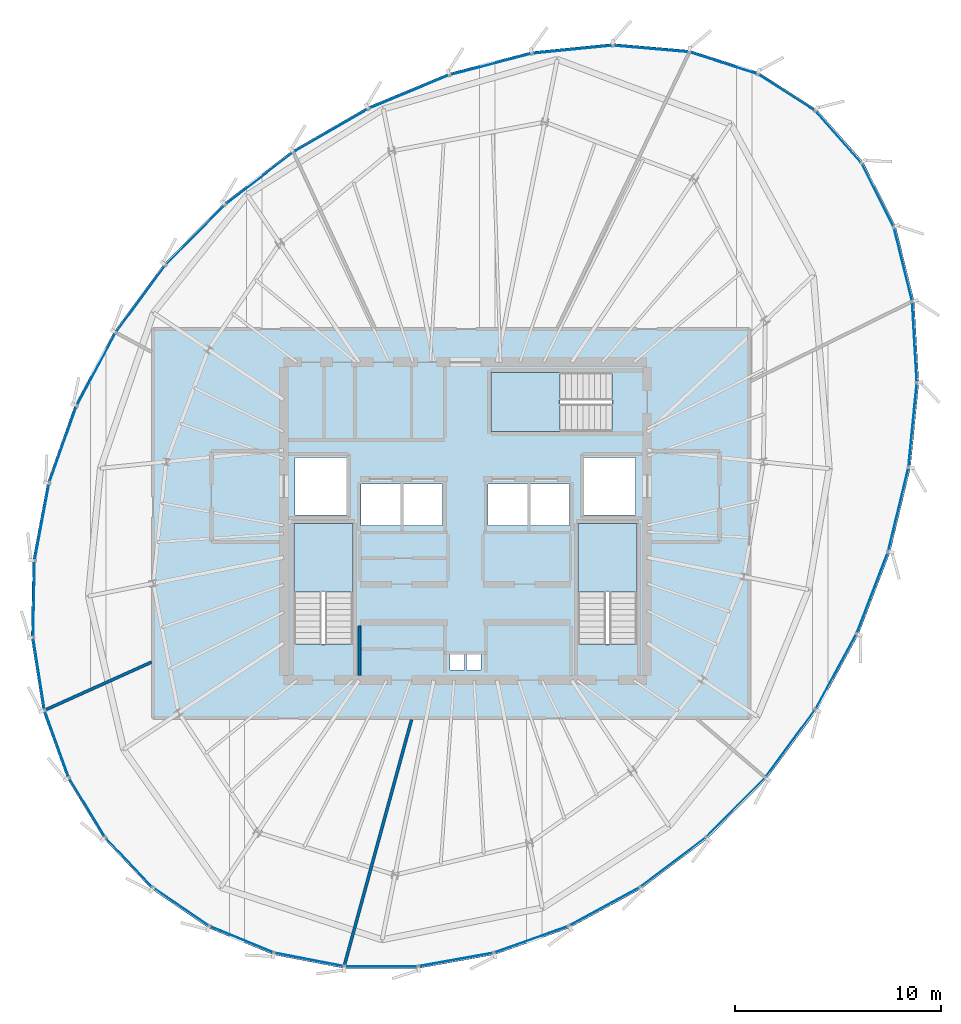
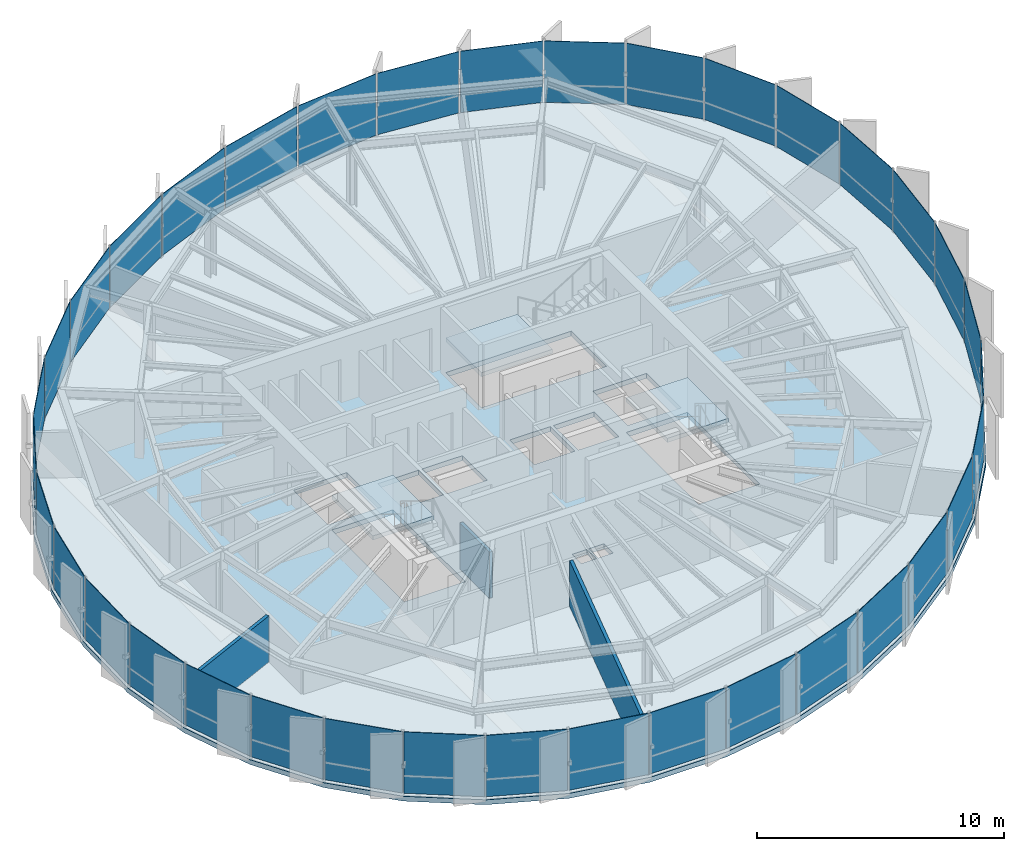
# One storey, part 26 of 33: 36 plates, 4 slabs, 3 walls, 9 elements without a shape of their own.
"""IFC4 building model written with IfcOpenShell, lengths in metres."""

from ifc_helpers import new_model, si_unit, direction, frame, frame_2d, origin, origin_2d, place, context, subcontext, project, spatial, polyline, rectangle, outline, extrude, source, transform, mapped, material, layer, layer_set, type_object, element, aggregate, save


model = new_model("IFC4")

# Units and contexts
model_context = context("Model", 3, precision=1e-05, world=origin(), true_north=direction((0.0, 1.0)))
body_context = subcontext(model_context, "Body", "Model", "MODEL_VIEW")
ifc_project = project(units=[si_unit("LENGTHUNIT", "METRE"), si_unit("AREAUNIT", "SQUARE_METRE"), si_unit("VOLUMEUNIT", "CUBIC_METRE"), si_unit("PLANEANGLEUNIT", "RADIAN"), si_unit("MASSUNIT", "GRAM", prefix="KILO"), si_unit("THERMODYNAMICTEMPERATUREUNIT", "KELVIN")], contexts=[model_context])

# Site, building, storey
site_placement = place(None, origin())
site = spatial("IfcSite", under=ifc_project, at=site_placement, CompositionType="ELEMENT")
building_placement = place(site_placement, origin())
building = spatial("IfcBuilding", under=site, at=building_placement, Name="Kethvar Cultural Tower", CompositionType="ELEMENT")
storey_placement = place(building_placement, frame((0.0, 0.0, 235.300048828125)))
storey = spatial("IfcBuildingStorey", under=building, at=storey_placement, Name="L61", CompositionType="ELEMENT", Elevation=235.300048828125)

# Stair, slab
ifc_material_1 = material(Name="Concrete C40/50", Category="concrete")
stair_type = type_object("IfcStairType", Name="ST-DOGLEG-135", PredefinedType="HALF_TURN_STAIR", material=ifc_material_1)
stair_1_placement = place(storey_placement, origin())
stair_1 = element("IfcStair", 1, at=stair_1_placement, inside=storey, type_object=stair_type, Name="L61 Core Exit Stair 1", PredefinedType="HALF_TURN_STAIR")
ifc_layer_1 = layer(ifc_material_1, 0.199951171875, Name="Concrete C40/50", Category="concrete")
ifc_layer_set_1 = layer_set([ifc_layer_1], Name="Concrete C40/50 (200 mm)")
slab_type_1 = type_object("IfcSlabType", Name="SL-STAIR-LANDING-200", PredefinedType="LANDING", material=ifc_layer_set_1)
slab_1_placement = place(storey_placement, frame((0.0, 0.0, 1.52490234375)))
slab_1 = element("IfcSlab", 2, at=slab_1_placement, type_object=slab_type_1, Name="ST-01 landing 1", PredefinedType="LANDING", context=body_context, shape_type="SweptSolid", body=[
    extrude(outline(polyline([(41.35009765625, 24.3701171875), (41.35009765625, 27.699951171875), (38.489990234375, 27.699951171875), (38.489990234375, 24.3701171875), (41.35009765625, 24.3701171875)])), origin(), (0.0, 0.0, 1.0), 0.199951171875),
])
aggregate(stair_1, [slab_1])

stair_2_placement = place(storey_placement, origin())
stair_2 = element("IfcStair", 3, at=stair_2_placement, inside=storey, type_object=stair_type, Name="L61 Core Exit Stair 2", PredefinedType="HALF_TURN_STAIR")
slab_2_placement = place(storey_placement, frame((0.0, 0.0, 1.52490234375)))
slab_2 = element("IfcSlab", 4, at=slab_2_placement, type_object=slab_type_1, Name="ST-02 landing 1", PredefinedType="LANDING", context=body_context, shape_type="SweptSolid", body=[
    extrude(outline(polyline([(55.110107421875, 24.3701171875), (55.110107421875, 27.699951171875), (52.25, 27.699951171875), (52.25, 24.3701171875), (55.110107421875, 24.3701171875)])), origin(), (0.0, 0.0, 1.0), 0.199951171875),
])
aggregate(stair_2, [slab_2])

stair_3_placement = place(storey_placement, origin())
stair_3 = element("IfcStair", 5, at=stair_3_placement, inside=storey, type_object=stair_type, Name="L61 Core Exit Stair 3", PredefinedType="HALF_TURN_STAIR")
slab_3_placement = place(storey_placement, frame((0.0, 0.0, 1.52490234375)))
slab_3 = element("IfcSlab", 6, at=slab_3_placement, type_object=slab_type_1, Name="ST-03 landing 1", PredefinedType="LANDING", context=body_context, shape_type="SweptSolid", body=[
    extrude(outline(polyline([(51.3798828125, 35.010009765625), (48.050048828125, 35.010009765625), (48.050048828125, 32.14990234375), (51.3798828125, 32.14990234375), (51.3798828125, 35.010009765625)])), origin(), (0.0, 0.0, 1.0), 0.199951171875),
])
aggregate(stair_3, [slab_3])

# Slab
ifc_layer_2 = layer(ifc_material_1, 0.239990234375, Name="Concrete C40/50", Category="concrete")
ifc_layer_set_2 = layer_set([ifc_layer_2], Name="Concrete C40/50 (240 mm)")
slab_type_2 = type_object("IfcSlabType", Name="SL-TOW-240", PredefinedType="FLOOR", material=ifc_layer_set_2)
slab_4_placement = place(storey_placement, frame((0.0, 0.0, -0.239990234375)))
element("IfcSlab", 7, at=slab_4_placement, inside=storey, type_object=slab_type_2, Name="L61 Structural Floor Slab", PredefinedType="FLOOR", context=body_context, shape_type="SweptSolid", body=[
    extrude(outline(polyline([(63.824951171875, 47.733642578125), (60.9912109375, 49.548095703125), (57.654052734375, 50.616943359375), (53.940673828125, 50.938232421875), (50.0009765625, 50.545654296875), (45.99609375, 49.49951171875), (42.08447265625, 47.87451171875), (38.409912109375, 45.74951171875), (35.08935546875, 43.195068359375), (32.2041015625, 40.26611328125), (29.785400390625, 36.98486328125), (27.883544921875, 33.424560546875), (26.556396484375, 29.693603515625), (25.844482421875, 25.90478515625), (25.76904296875, 22.173828125), (26.332763671875, 18.61376953125), (27.5185546875, 15.332763671875), (29.289794921875, 12.4306640625), (31.593505859375, 9.995361328125), (34.35888671875, 8.101318359375), (37.50244140625, 6.805419921875), (40.9287109375, 6.147705078125), (44.533203125, 6.14794921875), (48.206298828125, 6.805908203125), (51.8369140625, 8.101806640625), (55.314697265625, 9.996337890625), (58.533447265625, 12.431640625), (61.395751953125, 15.333984375), (63.83740234375, 18.641845703125), (65.8408203125, 22.321044921875), (67.364990234375, 26.28271484375), (68.35791015625, 30.400390625), (68.764892578125, 34.519775390625), (68.536376953125, 38.472412109375), (67.63818359375, 42.089599609375), (66.060302734375, 45.218505859375), (63.824951171875, 47.733642578125)]), holes=[polyline([(38.489990234375, 21.85009765625), (38.489990234375, 27.699951171875), (41.35009765625, 27.699951171875), (41.35009765625, 21.85009765625), (38.489990234375, 21.85009765625)]), polyline([(52.25, 21.85009765625), (52.25, 27.699951171875), (55.110107421875, 27.699951171875), (55.110107421875, 21.85009765625), (52.25, 21.85009765625)]), polyline([(53.89990234375, 32.14990234375), (48.050048828125, 32.14990234375), (48.050048828125, 35.010009765625), (53.89990234375, 35.010009765625), (53.89990234375, 32.14990234375)]), polyline([(41.75, 29.60009765625), (43.64990234375, 29.60009765625), (43.64990234375, 27.60009765625), (41.75, 27.60009765625), (41.75, 29.60009765625)]), polyline([(43.800048828125, 29.60009765625), (45.699951171875, 29.60009765625), (45.699951171875, 27.60009765625), (43.800048828125, 27.60009765625), (43.800048828125, 29.60009765625)]), polyline([(47.89990234375, 29.60009765625), (49.800048828125, 29.60009765625), (49.800048828125, 27.60009765625), (47.89990234375, 27.60009765625), (47.89990234375, 29.60009765625)]), polyline([(49.949951171875, 29.60009765625), (51.85009765625, 29.60009765625), (51.85009765625, 27.60009765625), (49.949951171875, 27.60009765625), (49.949951171875, 29.60009765625)]), polyline([(38.550048828125, 30.89990234375), (41.050048828125, 30.89990234375), (41.050048828125, 28.10009765625), (38.550048828125, 28.10009765625), (38.550048828125, 30.89990234375)]), polyline([(52.550048828125, 30.89990234375), (55.050048828125, 30.89990234375), (55.050048828125, 28.10009765625), (52.550048828125, 28.10009765625), (52.550048828125, 30.89990234375)]), polyline([(46.050048828125, 21.35009765625), (46.75, 21.35009765625), (46.75, 20.60009765625), (46.050048828125, 20.60009765625), (46.050048828125, 21.35009765625)]), polyline([(46.85009765625, 21.35009765625), (47.550048828125, 21.35009765625), (47.550048828125, 20.60009765625), (46.85009765625, 20.60009765625), (46.85009765625, 21.35009765625)])]), origin(), (0.0, 0.0, 1.0), 0.239990234375),
])

# Curtain wall, plates
ifc_material_2 = material(Name="Aluminium 6063-T6", Category="aluminium")
ifc_layer_3 = layer(ifc_material_2, 0.179931640625, Name="Aluminium 6063-T6", Category="aluminium")
ifc_layer_set_3 = layer_set([ifc_layer_3], Name="Aluminium 6063-T6 (180 mm)")
curtain_wall_type = type_object("IfcCurtainWallType", Name="CW-SYS-05-Z56", PredefinedType="NOTDEFINED", material=ifc_layer_set_3)
curtain_wall_1_placement = place(storey_placement, origin())
curtain_wall_1 = element("IfcCurtainWall", 8, at=curtain_wall_1_placement, inside=storey, type_object=curtain_wall_type, Name="L61 Curtain Wall Run 01", PredefinedType="NOTDEFINED")
ifc_material_3 = material(Name="Insulated Low-E Solar Glass", Category="glass")
ifc_layer_4 = layer(ifc_material_3, 0.028076171875, Name="Insulated Low-E Solar Glass", Category="glass")
ifc_layer_set_4 = layer_set([ifc_layer_4], Name="Insulated Low-E Solar Glass (28 mm)")
plate_type = type_object("IfcPlateType", Name="CW-SYS-05-Z56-PNL", PredefinedType="CURTAIN_PANEL", material=ifc_layer_set_4)
shared_shape_1 = source(origin(), body_context, "Body", "SweptSolid", [
    extrude(rectangle(XDim=3.28564453125, YDim=0.028076171875, at=origin_2d()), origin(), (0.0, 0.0, 1.0), 3.030029296875),
])
plate_1_placement = place(storey_placement, frame((62.35400390625, 48.556640625, 0.08984375), z_axis=(0.0, 0.0, 1.0), x_axis=(-0.842179592708, 0.539197119452, 0.0)))
plate_1 = element("IfcPlate", 9, at=plate_1_placement, type_object=plate_type, Name="CW-L61-R01 Vision Glazing Panel 1", PredefinedType="CURTAIN_PANEL", context=body_context, shape_type="MappedRepresentation", body=[
    mapped(shared_shape_1, transform((0.0, 0.0, 0.0), scale=1.0)),
])
shared_shape_2 = source(origin(), body_context, "Body", "SweptSolid", [
    extrude(rectangle(XDim=3.425048828125, YDim=0.028076171875, at=origin_2d()), origin(), (0.0, 0.0, 1.0), 3.030029296875),
])
plate_2_placement = place(storey_placement, frame((59.2919921875, 49.9873046875, 0.08984375), z_axis=(0.0, 0.0, 1.0), x_axis=(-0.952331928126, 0.30506376165, 0.0)))
plate_2 = element("IfcPlate", 10, at=plate_2_placement, type_object=plate_type, Name="CW-L61-R01 Vision Glazing Panel 2", PredefinedType="CURTAIN_PANEL", context=body_context, shape_type="MappedRepresentation", body=[
    mapped(shared_shape_2, transform((0.0, 0.0, 0.0), scale=1.0)),
])

# Curtain wall, plate
curtain_wall_2_placement = place(storey_placement, origin())
curtain_wall_2 = element("IfcCurtainWall", 11, at=curtain_wall_2_placement, inside=storey, type_object=curtain_wall_type, Name="L61 Curtain Wall Run 06", PredefinedType="NOTDEFINED")
plate_3_placement = place(storey_placement, frame((66.760009765625, 43.609130859375, 0.08984375), z_axis=(0.0, 0.0, 1.0), x_axis=(-0.450285456237, 0.89288465543, 0.0)))
plate_3 = element("IfcPlate", 12, at=plate_3_placement, type_object=plate_type, Name="CW-L61-R06 Vision Glazing Panel 5", PredefinedType="CURTAIN_PANEL", context=body_context, shape_type="MappedRepresentation", body=[
    mapped(shared_shape_2, transform((0.0, 0.0, 0.0), scale=1.0)),
])

# Plate
shared_shape_3 = source(origin(), body_context, "Body", "SweptSolid", [
    extrude(rectangle(XDim=3.648193359375, YDim=0.028076171875, at=origin_2d()), origin(), (0.0, 0.0, 1.0), 3.030029296875),
])
plate_4_placement = place(storey_placement, frame((55.788818359375, 50.677978515625, 0.08984375), z_axis=(0.0, 0.0, 1.0), x_axis=(-0.996277902605, 0.086199424478, 0.0)))
plate_4 = element("IfcPlate", 13, at=plate_4_placement, type_object=plate_type, Name="CW-L61-R01 Vision Glazing Panel 3", PredefinedType="CURTAIN_PANEL", context=body_context, shape_type="MappedRepresentation", body=[
    mapped(shared_shape_3, transform((0.0, 0.0, 0.0), scale=1.0)),
])

plate_5_placement = place(storey_placement, frame((67.989990234375, 40.2568359375, 0.08984375), z_axis=(0.0, 0.0, 1.0), x_axis=(-0.240990367248, 0.970527507541, 0.0)))
plate_5 = element("IfcPlate", 14, at=plate_5_placement, type_object=plate_type, Name="CW-L61-R06 Vision Glazing Panel 4", PredefinedType="CURTAIN_PANEL", context=body_context, shape_type="MappedRepresentation", body=[
    mapped(shared_shape_3, transform((0.0, 0.0, 0.0), scale=1.0)),
])

shared_shape_4 = source(origin(), body_context, "Body", "SweptSolid", [
    extrude(rectangle(XDim=3.8798828125, YDim=0.028076171875, at=origin_2d()), origin(), (0.0, 0.0, 1.0), 3.030029296875),
])
plate_6_placement = place(storey_placement, frame((51.980712890625, 50.642333984375, 0.08984375), z_axis=(0.0, 0.0, 1.0), x_axis=(-0.995069427915, -0.099180812808, 0.0)))
plate_6 = element("IfcPlate", 15, at=plate_6_placement, type_object=plate_type, Name="CW-L61-R01 Vision Glazing Panel 4", PredefinedType="CURTAIN_PANEL", context=body_context, shape_type="MappedRepresentation", body=[
    mapped(shared_shape_4, transform((0.0, 0.0, 0.0), scale=1.0)),
])

plate_7_placement = place(storey_placement, frame((68.55078125, 36.490234375, 0.08984375), z_axis=(0.0, 0.0, 1.0), x_axis=(-0.0577382696, 0.99833175459, 0.0)))
plate_7 = element("IfcPlate", 16, at=plate_7_placement, type_object=plate_type, Name="CW-L61-R06 Vision Glazing Panel 3", PredefinedType="CURTAIN_PANEL", context=body_context, shape_type="MappedRepresentation", body=[
    mapped(shared_shape_4, transform((0.0, 0.0, 0.0), scale=1.0)),
])

shared_shape_5 = source(origin(), body_context, "Body", "SweptSolid", [
    extrude(rectangle(XDim=4.06005859375, YDim=0.028076171875, at=origin_2d()), origin(), (0.0, 0.0, 1.0), 3.030029296875),
])
plate_8_placement = place(storey_placement, frame((48.023681640625, 49.92578125, 0.08984375), z_axis=(0.0, 0.0, 1.0), x_axis=(-0.967532957062, -0.25274488521, 0.0)))
plate_8 = element("IfcPlate", 17, at=plate_8_placement, type_object=plate_type, Name="CW-L61-R01 Vision Glazing Panel 5", PredefinedType="CURTAIN_PANEL", context=body_context, shape_type="MappedRepresentation", body=[
    mapped(shared_shape_5, transform((0.0, 0.0, 0.0), scale=1.0)),
])

shared_shape_6 = source(origin(), body_context, "Body", "SweptSolid", [
    extrude(rectangle(XDim=4.156494140625, YDim=0.028076171875, at=origin_2d()), origin(), (0.0, 0.0, 1.0), 3.030029296875),
])
plate_9_placement = place(storey_placement, frame((44.07861328125, 48.594482421875, 0.08984375), z_axis=(0.0, 0.0, 1.0), x_axis=(-0.923491672231, -0.383618471036, 0.0)))
plate_9 = element("IfcPlate", 18, at=plate_9_placement, type_object=plate_type, Name="CW-L61-R01 Vision Glazing Panel 6", PredefinedType="CURTAIN_PANEL", context=body_context, shape_type="MappedRepresentation", body=[
    mapped(shared_shape_6, transform((0.0, 0.0, 0.0), scale=1.0)),
])

aggregate(curtain_wall_1, [plate_1, plate_2, plate_4, plate_6, plate_8, plate_9])

plate_10_placement = place(storey_placement, frame((67.764404296875, 28.364990234375, 0.08984375), z_axis=(0.0, 0.0, 1.0), x_axis=(0.234446532252, 0.97212901588, 0.0)))
plate_10 = element("IfcPlate", 19, at=plate_10_placement, type_object=plate_type, Name="CW-L61-R06 Vision Glazing Panel 1", PredefinedType="CURTAIN_PANEL", context=body_context, shape_type="MappedRepresentation", body=[
    mapped(shared_shape_6, transform((0.0, 0.0, 0.0), scale=1.0)),
])

# Curtain wall, plates
curtain_wall_3_placement = place(storey_placement, origin())
curtain_wall_3 = element("IfcCurtainWall", 20, at=curtain_wall_3_placement, inside=storey, type_object=curtain_wall_type, Name="L61 Curtain Wall Run 02", PredefinedType="NOTDEFINED")
shared_shape_7 = source(origin(), body_context, "Body", "SweptSolid", [
    extrude(rectangle(XDim=4.165771484375, YDim=0.028076171875, at=origin_2d()), origin(), (0.0, 0.0, 1.0), 3.030029296875),
])
plate_11_placement = place(storey_placement, frame((40.297119140625, 46.725341796875, 0.08984375), z_axis=(0.0, 0.0, 1.0), x_axis=(-0.865658651997, -0.500634695384, 0.0)))
plate_11 = element("IfcPlate", 21, at=plate_11_placement, type_object=plate_type, Name="CW-L61-R02 Vision Glazing Panel 1", PredefinedType="CURTAIN_PANEL", context=body_context, shape_type="MappedRepresentation", body=[
    mapped(shared_shape_7, transform((0.0, 0.0, 0.0), scale=1.0)),
])
shared_shape_8 = source(origin(), body_context, "Body", "SweptSolid", [
    extrude(rectangle(XDim=4.110107421875, YDim=0.028076171875, at=origin_2d()), origin(), (0.0, 0.0, 1.0), 3.030029296875),
])
plate_12_placement = place(storey_placement, frame((36.810546875, 44.39306640625, 0.08984375), z_axis=(0.0, 0.0, 1.0), x_axis=(-0.792609005996, -0.609730238396, 0.0)))
plate_12 = element("IfcPlate", 22, at=plate_12_placement, type_object=plate_type, Name="CW-L61-R02 Vision Glazing Panel 2", PredefinedType="CURTAIN_PANEL", context=body_context, shape_type="MappedRepresentation", body=[
    mapped(shared_shape_8, transform((0.0, 0.0, 0.0), scale=1.0)),
])
shared_shape_9 = source(origin(), body_context, "Body", "SweptSolid", [
    extrude(rectangle(XDim=4.0322265625, YDim=0.028076171875, at=origin_2d()), origin(), (0.0, 0.0, 1.0), 3.030029296875),
])
plate_13_placement = place(storey_placement, frame((33.718017578125, 41.660400390625, 0.08984375), z_axis=(0.0, 0.0, 1.0), x_axis=(-0.701742838993, -0.712430338996, 0.0)))
plate_13 = element("IfcPlate", 23, at=plate_13_placement, type_object=plate_type, Name="CW-L61-R02 Vision Glazing Panel 3", PredefinedType="CURTAIN_PANEL", context=body_context, shape_type="MappedRepresentation", body=[
    mapped(shared_shape_9, transform((0.0, 0.0, 0.0), scale=1.0)),
])

# Curtain wall, plate
curtain_wall_4_placement = place(storey_placement, origin())
curtain_wall_4 = element("IfcCurtainWall", 24, at=curtain_wall_4_placement, inside=storey, type_object=curtain_wall_type, Name="L61 Curtain Wall Run 05", PredefinedType="NOTDEFINED")
plate_14_placement = place(storey_placement, frame((62.5361328125, 17.04736328125, 0.08984375), z_axis=(0.0, 0.0, 1.0), x_axis=(0.593882373699, 0.804551879129, 0.0)))
plate_14 = element("IfcPlate", 25, at=plate_14_placement, type_object=plate_type, Name="CW-L61-R05 Vision Glazing Panel 4", PredefinedType="CURTAIN_PANEL", context=body_context, shape_type="MappedRepresentation", body=[
    mapped(shared_shape_9, transform((0.0, 0.0, 0.0), scale=1.0)),
])

# Plate
shared_shape_10 = source(origin(), body_context, "Body", "SweptSolid", [
    extrude(rectangle(XDim=3.997314453125, YDim=0.028076171875, at=origin_2d()), origin(), (0.0, 0.0, 1.0), 3.030029296875),
])
plate_15_placement = place(storey_placement, frame((31.0751953125, 38.56591796875, 0.08984375), z_axis=(0.0, 0.0, 1.0), x_axis=(-0.59337674165, -0.804924867593, 0.0)))
plate_15 = element("IfcPlate", 26, at=plate_15_placement, type_object=plate_type, Name="CW-L61-R02 Vision Glazing Panel 4", PredefinedType="CURTAIN_PANEL", context=body_context, shape_type="MappedRepresentation", body=[
    mapped(shared_shape_10, transform((0.0, 0.0, 0.0), scale=1.0)),
])

plate_16_placement = place(storey_placement, frame((59.893310546875, 13.952880859375, 0.08984375), z_axis=(0.0, 0.0, 1.0), x_axis=(0.702190333629, 0.711989280367, 0.0)))
plate_16 = element("IfcPlate", 27, at=plate_16_placement, type_object=plate_type, Name="CW-L61-R05 Vision Glazing Panel 3", PredefinedType="CURTAIN_PANEL", context=body_context, shape_type="MappedRepresentation", body=[
    mapped(shared_shape_10, transform((0.0, 0.0, 0.0), scale=1.0)),
])

shared_shape_11 = source(origin(), body_context, "Body", "SweptSolid", [
    extrude(rectangle(XDim=3.957275390625, YDim=0.028076171875, at=origin_2d()), origin(), (0.0, 0.0, 1.0), 3.030029296875),
])
plate_17_placement = place(storey_placement, frame((28.922607421875, 35.15771484375, 0.08984375), z_axis=(0.0, 0.0, 1.0), x_axis=(-0.471196623106, -0.882028198173, 0.0)))
plate_17 = element("IfcPlate", 28, at=plate_17_placement, type_object=plate_type, Name="CW-L61-R02 Vision Glazing Panel 5", PredefinedType="CURTAIN_PANEL", context=body_context, shape_type="MappedRepresentation", body=[
    mapped(shared_shape_11, transform((0.0, 0.0, 0.0), scale=1.0)),
])

plate_18_placement = place(storey_placement, frame((56.863525390625, 11.293701171875, 0.08984375), z_axis=(0.0, 0.0, 1.0), x_axis=(0.797457575748, 0.603375020102, 0.0)))
plate_18 = element("IfcPlate", 29, at=plate_18_placement, type_object=plate_type, Name="CW-L61-R05 Vision Glazing Panel 2", PredefinedType="CURTAIN_PANEL", context=body_context, shape_type="MappedRepresentation", body=[
    mapped(shared_shape_11, transform((0.0, 0.0, 0.0), scale=1.0)),
])

shared_shape_12 = source(origin(), body_context, "Body", "SweptSolid", [
    extrude(rectangle(XDim=3.880859375, YDim=0.028076171875, at=origin_2d()), origin(), (0.0, 0.0, 1.0), 3.030029296875),
])
plate_19_placement = place(storey_placement, frame((27.314208984375, 31.525390625, 0.08984375), z_axis=(0.0, 0.0, 1.0), x_axis=(-0.335122709234, -0.942174490079, 0.0)))
plate_19 = element("IfcPlate", 30, at=plate_19_placement, type_object=plate_type, Name="CW-L61-R02 Vision Glazing Panel 6", PredefinedType="CURTAIN_PANEL", context=body_context, shape_type="MappedRepresentation", body=[
    mapped(shared_shape_12, transform((0.0, 0.0, 0.0), scale=1.0)),
])

aggregate(curtain_wall_3, [plate_11, plate_12, plate_13, plate_15, plate_17, plate_19])

plate_20_placement = place(storey_placement, frame((53.528076171875, 9.136962890625, 0.08984375), z_axis=(0.0, 0.0, 1.0), x_axis=(0.878158366181, 0.478370028227, 0.0)))
plate_20 = element("IfcPlate", 31, at=plate_20_placement, type_object=plate_type, Name="CW-L61-R05 Vision Glazing Panel 1", PredefinedType="CURTAIN_PANEL", context=body_context, shape_type="MappedRepresentation", body=[
    mapped(shared_shape_12, transform((0.0, 0.0, 0.0), scale=1.0)),
])

# Curtain wall, plate
curtain_wall_5_placement = place(storey_placement, origin())
curtain_wall_5 = element("IfcCurtainWall", 32, at=curtain_wall_5_placement, inside=storey, type_object=curtain_wall_type, Name="L61 Curtain Wall Run 03", PredefinedType="NOTDEFINED")
shared_shape_13 = source(origin(), body_context, "Body", "SweptSolid", [
    extrude(rectangle(XDim=3.77587890625, YDim=0.028076171875, at=origin_2d()), origin(), (0.0, 0.0, 1.0), 3.030029296875),
])
plate_21_placement = place(storey_placement, frame((26.298583984375, 27.78076171875, 0.08984375), z_axis=(0.0, 0.0, 1.0), x_axis=(-0.184706136457, -0.982793794829, 0.0)))
plate_21 = element("IfcPlate", 33, at=plate_21_placement, type_object=plate_type, Name="CW-L61-R03 Vision Glazing Panel 1", PredefinedType="CURTAIN_PANEL", context=body_context, shape_type="MappedRepresentation", body=[
    mapped(shared_shape_13, transform((0.0, 0.0, 0.0), scale=1.0)),
])

curtain_wall_6_placement = place(storey_placement, origin())
curtain_wall_6 = element("IfcCurtainWall", 34, at=curtain_wall_6_placement, inside=storey, type_object=curtain_wall_type, Name="L61 Curtain Wall Run 04", PredefinedType="NOTDEFINED")
plate_22_placement = place(storey_placement, frame((49.988037109375, 7.548095703125, 0.08984375), z_axis=(0.0, 0.0, 1.0), x_axis=(0.941793699213, 0.336191356406, 0.0)))
plate_22 = element("IfcPlate", 35, at=plate_22_placement, type_object=plate_type, Name="CW-L61-R04 Vision Glazing Panel 6", PredefinedType="CURTAIN_PANEL", context=body_context, shape_type="MappedRepresentation", body=[
    mapped(shared_shape_13, transform((0.0, 0.0, 0.0), scale=1.0)),
])

# Plate
shared_shape_14 = source(origin(), body_context, "Body", "SweptSolid", [
    extrude(rectangle(XDim=3.652587890625, YDim=0.028076171875, at=origin_2d()), origin(), (0.0, 0.0, 1.0), 3.030029296875),
])
plate_23_placement = place(storey_placement, frame((25.90673828125, 24.037353515625, 0.08984375), z_axis=(0.0, 0.0, 1.0), x_axis=(-0.020174637336, -0.999796471292, 0.0)))
plate_23 = element("IfcPlate", 36, at=plate_23_placement, type_object=plate_type, Name="CW-L61-R03 Vision Glazing Panel 2", PredefinedType="CURTAIN_PANEL", context=body_context, shape_type="MappedRepresentation", body=[
    mapped(shared_shape_14, transform((0.0, 0.0, 0.0), scale=1.0)),
])

plate_24_placement = place(storey_placement, frame((46.35205078125, 6.575439453125, 0.08984375), z_axis=(0.0, 0.0, 1.0), x_axis=(0.984331309065, 0.176328880208, 0.0)))
plate_24 = element("IfcPlate", 37, at=plate_24_placement, type_object=plate_type, Name="CW-L61-R04 Vision Glazing Panel 5", PredefinedType="CURTAIN_PANEL", context=body_context, shape_type="MappedRepresentation", body=[
    mapped(shared_shape_14, transform((0.0, 0.0, 0.0), scale=1.0)),
])

shared_shape_15 = source(origin(), body_context, "Body", "SweptSolid", [
    extrude(rectangle(XDim=3.525146484375, YDim=0.028076171875, at=origin_2d()), origin(), (0.0, 0.0, 1.0), 3.030029296875),
])
plate_25_placement = place(storey_placement, frame((26.149658203125, 20.409423828125, 0.08984375), z_axis=(0.0, 0.0, 1.0), x_axis=(0.156382749585, -0.987696530131, 0.0)))
plate_25 = element("IfcPlate", 38, at=plate_25_placement, type_object=plate_type, Name="CW-L61-R03 Vision Glazing Panel 3", PredefinedType="CURTAIN_PANEL", context=body_context, shape_type="MappedRepresentation", body=[
    mapped(shared_shape_15, transform((0.0, 0.0, 0.0), scale=1.0)),
])

shared_shape_16 = source(origin(), body_context, "Body", "SweptSolid", [
    extrude(rectangle(XDim=3.409423828125, YDim=0.028076171875, at=origin_2d()), origin(), (0.0, 0.0, 1.0), 3.030029296875),
])
plate_26_placement = place(storey_placement, frame((27.019775390625, 17.007080078125, 0.08984375), z_axis=(0.0, 0.0, 1.0), x_axis=(0.339887169865, -0.940466220425, 0.0)))
plate_26 = element("IfcPlate", 39, at=plate_26_placement, type_object=plate_type, Name="CW-L61-R03 Vision Glazing Panel 4", PredefinedType="CURTAIN_PANEL", context=body_context, shape_type="MappedRepresentation", body=[
    mapped(shared_shape_16, transform((0.0, 0.0, 0.0), scale=1.0)),
])

plate_27_placement = place(storey_placement, frame((39.234375, 6.57470703125, 0.08984375), z_axis=(0.0, 0.0, 1.0), x_axis=(0.982067460975, -0.188529844039, 0.0)))
plate_27 = element("IfcPlate", 40, at=plate_27_placement, type_object=plate_type, Name="CW-L61-R04 Vision Glazing Panel 3", PredefinedType="CURTAIN_PANEL", context=body_context, shape_type="MappedRepresentation", body=[
    mapped(shared_shape_16, transform((0.0, 0.0, 0.0), scale=1.0)),
])

shared_shape_17 = source(origin(), body_context, "Body", "SweptSolid", [
    extrude(rectangle(XDim=3.32080078125, YDim=0.028076171875, at=origin_2d()), origin(), (0.0, 0.0, 1.0), 3.030029296875),
])
plate_28_placement = place(storey_placement, frame((28.489501953125, 13.933837890625, 0.08984375), z_axis=(0.0, 0.0, 1.0), x_axis=(0.52097983698, -0.853568983422, 0.0)))
plate_28 = element("IfcPlate", 41, at=plate_28_placement, type_object=plate_type, Name="CW-L61-R03 Vision Glazing Panel 5", PredefinedType="CURTAIN_PANEL", context=body_context, shape_type="MappedRepresentation", body=[
    mapped(shared_shape_17, transform((0.0, 0.0, 0.0), scale=1.0)),
])

plate_29_placement = place(storey_placement, frame((35.968994140625, 7.5458984375, 0.08984375), z_axis=(0.0, 0.0, 1.0), x_axis=(0.924539382539, -0.381086512665, 0.0)))
plate_29 = element("IfcPlate", 42, at=plate_29_placement, type_object=plate_type, Name="CW-L61-R04 Vision Glazing Panel 2", PredefinedType="CURTAIN_PANEL", context=body_context, shape_type="MappedRepresentation", body=[
    mapped(shared_shape_17, transform((0.0, 0.0, 0.0), scale=1.0)),
])

shared_shape_18 = source(origin(), body_context, "Body", "SweptSolid", [
    extrude(rectangle(XDim=3.272705078125, YDim=0.028076171875, at=origin_2d()), origin(), (0.0, 0.0, 1.0), 3.030029296875),
])
plate_30_placement = place(storey_placement, frame((30.514404296875, 11.28173828125, 0.08984375), z_axis=(0.0, 0.0, 1.0), x_axis=(0.687188953069, -0.726478728374, 0.0)))
plate_30 = element("IfcPlate", 43, at=plate_30_placement, type_object=plate_type, Name="CW-L61-R03 Vision Glazing Panel 6", PredefinedType="CURTAIN_PANEL", context=body_context, shape_type="MappedRepresentation", body=[
    mapped(shared_shape_18, transform((0.0, 0.0, 0.0), scale=1.0)),
])

aggregate(curtain_wall_5, [plate_21, plate_23, plate_25, plate_26, plate_28, plate_30])

plate_31_placement = place(storey_placement, frame((33.03271484375, 9.130859375, 0.08984375), z_axis=(0.0, 0.0, 1.0), x_axis=(0.825034605961, -0.565082205495, 0.0)))
plate_31 = element("IfcPlate", 44, at=plate_31_placement, type_object=plate_type, Name="CW-L61-R04 Vision Glazing Panel 1", PredefinedType="CURTAIN_PANEL", context=body_context, shape_type="MappedRepresentation", body=[
    mapped(shared_shape_18, transform((0.0, 0.0, 0.0), scale=1.0)),
])

shared_shape_19 = source(origin(), body_context, "Body", "SweptSolid", [
    extrude(rectangle(XDim=3.525390625, YDim=0.028076171875, at=origin_2d()), origin(), (0.0, 0.0, 1.0), 3.030029296875),
])
plate_32_placement = place(storey_placement, frame((42.73095703125, 6.247802734375, 0.08984375), z_axis=(0.0, 0.0, 1.0), x_axis=(0.999999999391, 3.4906585e-05, 0.0)))
plate_32 = element("IfcPlate", 45, at=plate_32_placement, type_object=plate_type, Name="CW-L61-R04 Vision Glazing Panel 4", PredefinedType="CURTAIN_PANEL", context=body_context, shape_type="MappedRepresentation", body=[
    mapped(shared_shape_19, transform((0.0, 0.0, 0.0), scale=1.0)),
])

aggregate(curtain_wall_6, [plate_31, plate_29, plate_27, plate_32, plate_24, plate_22])

shared_shape_20 = source(origin(), body_context, "Body", "SweptSolid", [
    extrude(rectangle(XDim=4.10986328125, YDim=0.028076171875, at=origin_2d()), origin(), (0.0, 0.0, 1.0), 3.030029296875),
])
plate_33_placement = place(storey_placement, frame((64.75146484375, 20.529296875, 0.08984375), z_axis=(0.0, 0.0, 1.0), x_axis=(0.478232081533, 0.878233497535, 0.0)))
plate_33 = element("IfcPlate", 46, at=plate_33_placement, type_object=plate_type, Name="CW-L61-R05 Vision Glazing Panel 5", PredefinedType="CURTAIN_PANEL", context=body_context, shape_type="MappedRepresentation", body=[
    mapped(shared_shape_20, transform((0.0, 0.0, 0.0), scale=1.0)),
])

shared_shape_21 = source(origin(), body_context, "Body", "SweptSolid", [
    extrude(rectangle(XDim=4.16552734375, YDim=0.028076171875, at=origin_2d()), origin(), (0.0, 0.0, 1.0), 3.030029296875),
])
plate_34_placement = place(storey_placement, frame((66.509521484375, 24.337890625, 0.08984375), z_axis=(0.0, 0.0, 1.0), x_axis=(0.359052203396, 0.933317478266, 0.0)))
plate_34 = element("IfcPlate", 47, at=plate_34_placement, type_object=plate_type, Name="CW-L61-R05 Vision Glazing Panel 6", PredefinedType="CURTAIN_PANEL", context=body_context, shape_type="MappedRepresentation", body=[
    mapped(shared_shape_21, transform((0.0, 0.0, 0.0), scale=1.0)),
])

aggregate(curtain_wall_4, [plate_20, plate_18, plate_16, plate_14, plate_33, plate_34])

shared_shape_22 = source(origin(), body_context, "Body", "SweptSolid", [
    extrude(rectangle(XDim=4.060302734375, YDim=0.028076171875, at=origin_2d()), origin(), (0.0, 0.0, 1.0), 3.030029296875),
])
plate_35_placement = place(storey_placement, frame((68.4619140625, 32.469970703125, 0.08984375), z_axis=(0.0, 0.0, 1.0), x_axis=(0.098295044506, 0.99515731632, 0.0)))
plate_35 = element("IfcPlate", 48, at=plate_35_placement, type_object=plate_type, Name="CW-L61-R06 Vision Glazing Panel 2", PredefinedType="CURTAIN_PANEL", context=body_context, shape_type="MappedRepresentation", body=[
    mapped(shared_shape_22, transform((0.0, 0.0, 0.0), scale=1.0)),
])

shared_shape_23 = source(origin(), body_context, "Body", "SweptSolid", [
    extrude(rectangle(XDim=3.285400390625, YDim=0.028076171875, at=origin_2d()), origin(), (0.0, 0.0, 1.0), 3.030029296875),
])
plate_36_placement = place(storey_placement, frame((64.867919921875, 46.409912109375, 0.08984375), z_axis=(0.0, 0.0, 1.0), x_axis=(-0.664291576445, 0.747473545662, 0.0)))
plate_36 = element("IfcPlate", 49, at=plate_36_placement, type_object=plate_type, Name="CW-L61-R06 Vision Glazing Panel 6", PredefinedType="CURTAIN_PANEL", context=body_context, shape_type="MappedRepresentation", body=[
    mapped(shared_shape_23, transform((0.0, 0.0, 0.0), scale=1.0)),
])

aggregate(curtain_wall_2, [plate_10, plate_35, plate_7, plate_5, plate_3, plate_36])

# Walls
ifc_material_4 = material(Name="Gypsum Fireboard Partition")
ifc_layer_5 = layer(ifc_material_4, 0.14990234375, Name="Gypsum Fireboard Partition")
ifc_layer_set_5 = layer_set([ifc_layer_5], Name="Gypsum Fireboard Partition (150 mm)")
wall_type_1 = type_object("IfcWallType", Name="WL-FIRE-150", PredefinedType="PARTITIONING", material=ifc_layer_set_5)
wall_1_placement = place(storey_placement, frame((41.679931640625, 20.3349609375, 0.0), z_axis=(0.0, 0.0, 1.0), x_axis=(0.0, 1.0, 0.0)))
element("IfcWall", 50, at=wall_1_placement, inside=storey, type_object=wall_type_1, Name="L61 Reclaimed West Outer Wall", PredefinedType="PARTITIONING", context=body_context, shape_type="SweptSolid", body=[
    extrude(rectangle(XDim=2.39501953125, YDim=0.14990234375, at=frame_2d((1.197509765625, 0.0))), origin(), (0.0, 0.0, 1.0), 2.280029296875),
])
ifc_material_5 = material(Name="Gypsum Acoustic Partition")
ifc_layer_6 = layer(ifc_material_5, 0.14990234375, Name="Gypsum Acoustic Partition")
ifc_layer_set_6 = layer_set([ifc_layer_6], Name="Gypsum Acoustic Partition (150 mm)")
wall_type_2 = type_object("IfcWallType", Name="WL-PART-150", PredefinedType="PARTITIONING", material=ifc_layer_set_6)
wall_2_placement = place(storey_placement, frame((31.607177734375, 20.980712890625, 0.0), z_axis=(0.0, 0.0, 1.0), x_axis=(-0.911796467515, -0.410642425752, 0.0)))
element("IfcWall", 51, at=wall_2_placement, inside=storey, type_object=wall_type_2, Name="L61 Radial Partition Wall 01", PredefinedType="PARTITIONING", context=body_context, shape_type="SweptSolid", body=[
    extrude(rectangle(XDim=5.591552734375, YDim=0.14990234375, at=frame_2d((2.7958984375, 0.0))), origin(), (0.0, 0.0, 1.0), 2.280029296875),
])
wall_3_placement = place(storey_placement, frame((44.1943359375, 18.19189453125, 0.0), z_axis=(0.0, 0.0, 1.0), x_axis=(-0.263735796415, -0.964594956284, 0.0)))
element("IfcWall", 52, at=wall_3_placement, inside=storey, type_object=wall_type_2, Name="L61 Radial Partition Wall 02", PredefinedType="PARTITIONING", context=body_context, shape_type="SweptSolid", body=[
    extrude(rectangle(XDim=12.29248046875, YDim=0.14990234375, at=frame_2d((6.146240234375, 0.0))), origin(), (0.0, 0.0, 1.0), 2.280029296875),
])

save(model, "model.ifc")
